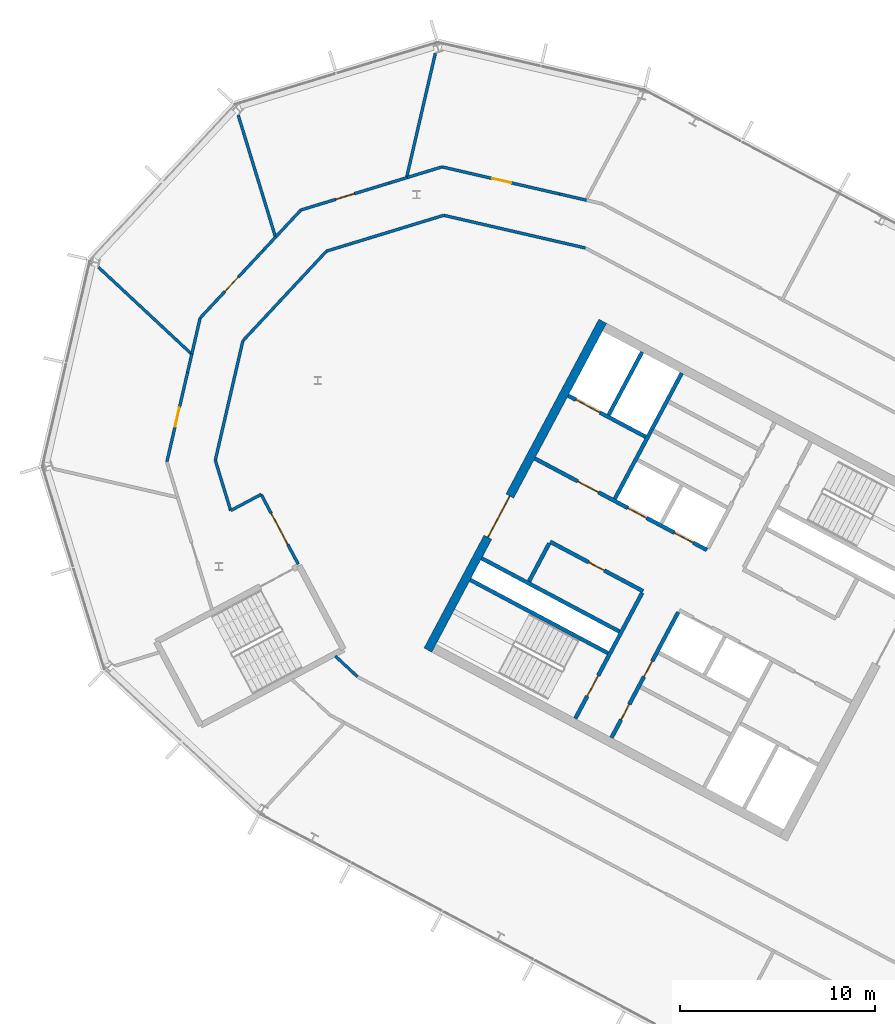
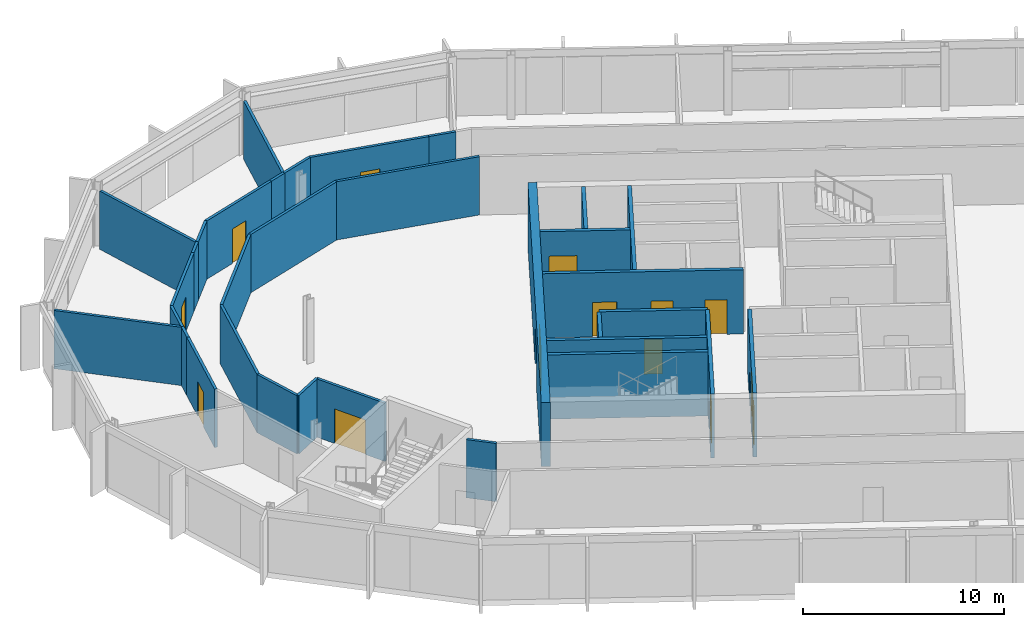
# One storey, part 13 of 25: 33 walls, 14 doors, 14 openings.
"""IFC4 building model written with IfcOpenShell, lengths in metres."""

from ifc_helpers import new_model, si_unit, direction, frame, frame_2d, origin, place, context, subcontext, project, spatial, rectangle, extrude, material, layer, layer_set, type_object, element, fill, save


model = new_model("IFC4")

# Units and contexts
model_context = context("Model", 3, precision=1e-05, world=origin(), true_north=direction((0.0, 1.0)))
body_context = subcontext(model_context, "Body", "Model", "MODEL_VIEW")
ifc_project = project(units=[si_unit("LENGTHUNIT", "METRE"), si_unit("AREAUNIT", "SQUARE_METRE"), si_unit("VOLUMEUNIT", "CUBIC_METRE"), si_unit("PLANEANGLEUNIT", "RADIAN"), si_unit("MASSUNIT", "GRAM", prefix="KILO")], contexts=[model_context])

# Site, building, storey
site_placement = place(None, origin())
site = spatial("IfcSite", under=ifc_project, at=site_placement, CompositionType="ELEMENT")
building_placement = place(site_placement, origin())
building = spatial("IfcBuilding", under=site, at=building_placement, Name="Cormorant Relay Tower", CompositionType="ELEMENT")
storey_placement = place(building_placement, frame((0.0, 0.0, 289.199951171875)))
storey = spatial("IfcBuildingStorey", under=building, at=storey_placement, Name="L65", CompositionType="ELEMENT", Elevation=289.199951171875)

# Wall, openings, doors
ifc_material_1 = material(Name="Concrete 50 MPa", Category="concrete")
ifc_layer_1 = layer(ifc_material_1, 0.199951171875)
ifc_layer_set_1 = layer_set([ifc_layer_1], Name="Core shaft wall 200")
wall_type_1 = type_object("IfcWallType", Name="Core shaft wall 200", PredefinedType="SHEAR", material=ifc_layer_set_1)
wall_1_placement = place(storey_placement, frame((-28.128173828125, 12.91748046875, 0.0), z_axis=(0.0, 0.0, 1.0), x_axis=(-0.469454336211, -0.882956752176, 0.0)))
wall_1 = element("IfcWall", 1, at=wall_1_placement, inside=storey, type_object=wall_type_1, Name="L65 core A shaft wall", PredefinedType="SHEAR", context=body_context, shape_type="SweptSolid", body=[
    extrude(rectangle(XDim=7.300048828125, YDim=0.199951171875, at=frame_2d((3.64990234375, 0.0))), origin(), (0.0, 0.0, 1.0), 3.900146484375),
])
opening_1_placement = place(wall_1_placement, frame((2.85009765625, 0.0, 0.0)))
opening_1 = element("IfcOpeningElement", 2, at=opening_1_placement, cuts=wall_1, Name="Opening CDD-289", PredefinedType="OPENING", context=body_context, shape_type="SweptSolid", body=[
    extrude(rectangle(XDim=0.89990234375, YDim=2.10009765625, at=frame_2d((0.449951171875, 1.050048828125))), frame((0.0, 0.10986328125, 0.0), z_axis=(0.0, -1.0, 0.0), x_axis=(1.0, 0.0, 0.0)), (0.0, 0.0, 1.0), 0.219970703125),
])
opening_2_placement = place(wall_1_placement, frame((5.35009765625, 0.0, 0.0)))
opening_2 = element("IfcOpeningElement", 3, at=opening_2_placement, cuts=wall_1, Name="Opening CDD-328", PredefinedType="OPENING", context=body_context, shape_type="SweptSolid", body=[
    extrude(rectangle(XDim=0.89990234375, YDim=2.10009765625, at=frame_2d((0.449951171875, 1.050048828125))), frame((0.0, 0.10986328125, 0.0), z_axis=(0.0, -1.0, 0.0), x_axis=(1.0, 0.0, 0.0)), (0.0, 0.0, 1.0), 0.219970703125),
])
ifc_material_2 = material(Name="Steel fire door", Category="steel")
door_type_1 = type_object("IfcDoorType", Name="Core room door 900x2100", OperationType="SINGLE_SWING_LEFT", PredefinedType="DOOR", material=ifc_material_2)
door_1_placement = place(opening_1_placement, origin())
door_1 = element("IfcDoor", 4, at=door_1_placement, inside=storey, type_object=door_type_1, Name="Core room door 900x2100", OperationType="SINGLE_SWING_LEFT", OverallHeight=2.10009765625, OverallWidth=0.89990234375, PredefinedType="DOOR", context=body_context, shape_type="SweptSolid", body=[
    extrude(rectangle(XDim=0.89990234375, YDim=2.10009765625, at=frame_2d((0.449951171875, 1.050048828125))), frame((0.0, 0.02490234375, 0.0), z_axis=(0.0, -1.0, 0.0), x_axis=(1.0, 0.0, 0.0)), (0.0, 0.0, 1.0), 0.050048828125),
])
fill(opening_1, door_1)
door_2_placement = place(opening_2_placement, origin())
door_2 = element("IfcDoor", 5, at=door_2_placement, inside=storey, type_object=door_type_1, Name="Core room door 900x2100", OperationType="SINGLE_SWING_LEFT", OverallHeight=2.10009765625, OverallWidth=0.89990234375, PredefinedType="DOOR", context=body_context, shape_type="SweptSolid", body=[
    extrude(rectangle(XDim=0.89990234375, YDim=2.10009765625, at=frame_2d((0.449951171875, 1.050048828125))), frame((0.0, 0.02490234375, 0.0), z_axis=(0.0, -1.0, 0.0), x_axis=(1.0, 0.0, 0.0)), (0.0, 0.0, 1.0), 0.050048828125),
])
fill(opening_2, door_2)

# Wall, opening, door
wall_2_placement = place(storey_placement, frame((-29.982421875, 13.9033203125, 0.0), z_axis=(0.0, 0.0, 1.0), x_axis=(-0.469454336211, -0.882956752176, 0.0)))
wall_2 = element("IfcWall", 6, at=wall_2_placement, inside=storey, type_object=wall_type_1, Name="L65 core A shaft wall", PredefinedType="SHEAR", context=body_context, shape_type="SweptSolid", body=[
    extrude(rectangle(XDim=7.300048828125, YDim=0.199951171875, at=frame_2d((3.64990234375, 0.0))), origin(), (0.0, 0.0, 1.0), 3.900146484375),
])
opening_3_placement = place(wall_2_placement, frame((4.800048828125, 0.0, 0.0)))
opening_3 = element("IfcOpeningElement", 7, at=opening_3_placement, cuts=wall_2, Name="Opening CDB-039", PredefinedType="OPENING", context=body_context, shape_type="SweptSolid", body=[
    extrude(rectangle(XDim=1.199951171875, YDim=2.10009765625, at=frame_2d((0.60009765625, 1.050048828125))), frame((0.0, 0.10986328125, 0.0), z_axis=(0.0, -1.0, 0.0), x_axis=(1.0, 0.0, 0.0)), (0.0, 0.0, 1.0), 0.219970703125),
])
ifc_material_3 = material(Name="Steel fire door", Category="steel")
door_type_2 = type_object("IfcDoorType", Name="Core stair door 1200x2100", OperationType="SINGLE_SWING_LEFT", PredefinedType="DOOR", material=ifc_material_3)
door_3_placement = place(opening_3_placement, frame((1.199951171875, 0.0, 0.0), z_axis=(0.0, 0.0, 1.0), x_axis=(-1.0, 0.0, 0.0)))
door_3 = element("IfcDoor", 8, at=door_3_placement, inside=storey, type_object=door_type_2, Name="Core stair door 1200x2100", OperationType="SINGLE_SWING_RIGHT", OverallHeight=2.10009765625, OverallWidth=1.199951171875, PredefinedType="DOOR", context=body_context, shape_type="SweptSolid", body=[
    extrude(rectangle(XDim=1.199951171875, YDim=2.10009765625, at=frame_2d((0.60009765625, 1.050048828125))), frame((0.0, 0.02490234375, 0.0), z_axis=(0.0, -1.0, 0.0), x_axis=(1.0, 0.0, 0.0)), (0.0, 0.0, 1.0), 0.050048828125),
])
fill(opening_3, door_3)

# Walls
wall_3_placement = place(storey_placement, frame((-27.955322265625, 25.170654296875, 0.0), z_axis=(0.0, 0.0, 1.0), x_axis=(-0.469480409012, -0.88294288918, 0.0)))
element("IfcWall", 9, at=wall_3_placement, inside=storey, type_object=wall_type_1, Name="L65 core A shaft wall", PredefinedType="SHEAR", context=body_context, shape_type="SweptSolid", body=[
    extrude(rectangle(XDim=7.300048828125, YDim=0.199951171875, at=frame_2d((3.64990234375, 0.0))), origin(), (0.0, 0.0, 1.0), 3.900146484375),
])
wall_4_placement = place(storey_placement, frame((-34.750244140625, 16.4384765625, 0.0), z_axis=(0.0, 0.0, 1.0), x_axis=(-0.469401318492, -0.882984938828, 0.0)))
element("IfcWall", 10, at=wall_4_placement, inside=storey, type_object=wall_type_1, Name="L65 core A shaft wall", PredefinedType="SHEAR", context=body_context, shape_type="SweptSolid", body=[
    extrude(rectangle(XDim=2.199951171875, YDim=0.199951171875, at=frame_2d((1.10009765625, 0.0))), origin(), (0.0, 0.0, 1.0), 3.900146484375),
])
wall_5_placement = place(storey_placement, frame((-29.986083984375, 26.250244140625, 0.0), z_axis=(0.0, 0.0, 1.0), x_axis=(-0.469494272526, -0.882935517501, 0.0)))
element("IfcWall", 11, at=wall_5_placement, inside=storey, type_object=wall_type_1, Name="L65 core A shaft wall", PredefinedType="SHEAR", context=body_context, shape_type="SweptSolid", body=[
    extrude(rectangle(XDim=3.64990234375, YDim=0.199951171875, at=frame_2d((1.824951171875, 0.0))), origin(), (0.0, 0.0, 1.0), 3.900146484375),
])

# Wall, opening, door
wall_6_placement = place(storey_placement, frame((-29.80419921875, 21.906494140625, 0.0), z_axis=(0.0, 0.0, 1.0), x_axis=(-0.882960433586, 0.469447412093, 0.0)))
wall_6 = element("IfcWall", 12, at=wall_6_placement, inside=storey, type_object=wall_type_1, Name="L65 core A shaft wall", PredefinedType="SHEAR", context=body_context, shape_type="SweptSolid", body=[
    extrude(rectangle(XDim=4.5, YDim=0.199951171875, at=frame_2d((2.25, 0.0))), origin(), (0.0, 0.0, 1.0), 3.900146484375),
])
opening_4_placement = place(wall_6_placement, frame((2.64990234375, 0.0, 0.0)))
opening_4 = element("IfcOpeningElement", 13, at=opening_4_placement, cuts=wall_6, Name="Opening LD3-015", PredefinedType="OPENING", context=body_context, shape_type="SweptSolid", body=[
    extrude(rectangle(XDim=1.39990234375, YDim=2.39990234375, at=frame_2d((0.699951171875, 1.199951171875))), frame((0.0, 0.10986328125, 0.0), z_axis=(0.0, -1.0, 0.0), x_axis=(1.0, 0.0, 0.0)), (0.0, 0.0, 1.0), 0.219970703125),
])
ifc_material_4 = material(Name="Stainless steel 316", Category="steel")
door_type_3 = type_object("IfcDoorType", Name="Lift landing door 1400x2400", OperationType="DOUBLE_DOOR_SLIDING", PredefinedType="DOOR", material=ifc_material_4)
door_4_placement = place(opening_4_placement, origin())
door_4 = element("IfcDoor", 14, at=door_4_placement, inside=storey, type_object=door_type_3, Name="SV1 landing door", OperationType="DOUBLE_DOOR_SLIDING", OverallHeight=2.39990234375, OverallWidth=1.39990234375, PredefinedType="DOOR", context=body_context, shape_type="SweptSolid", body=[
    extrude(rectangle(XDim=1.39990234375, YDim=2.39990234375, at=frame_2d((0.699951171875, 1.199951171875))), frame((0.0, 0.02490234375, 0.0), z_axis=(0.0, -1.0, 0.0), x_axis=(1.0, 0.0, 0.0)), (0.0, 0.0, 1.0), 0.050048828125),
])
fill(opening_4, door_4)

# Wall, openings, doors
wall_7_placement = place(storey_placement, frame((-26.66162109375, 16.1015625, 0.0), z_axis=(0.0, 0.0, 1.0), x_axis=(-0.882940221191, 0.469485426614, 0.0)))
wall_7 = element("IfcWall", 15, at=wall_7_placement, inside=storey, type_object=wall_type_1, Name="L65 core A shaft wall", PredefinedType="SHEAR", context=body_context, shape_type="SweptSolid", body=[
    extrude(rectangle(XDim=10.0, YDim=0.199951171875, at=frame_2d((5.0, 0.0))), origin(), (0.0, 0.0, 1.0), 3.900146484375),
])
opening_5_placement = place(wall_7_placement, frame((6.300048828125, 0.0, 0.0)))
opening_5 = element("IfcOpeningElement", 16, at=opening_5_placement, cuts=wall_7, Name="Opening CDC-034", PredefinedType="OPENING", context=body_context, shape_type="SweptSolid", body=[
    extrude(rectangle(XDim=1.199951171875, YDim=2.10009765625, at=frame_2d((0.60009765625, 1.050048828125))), frame((0.0, 0.10986328125, 0.0), z_axis=(0.0, -1.0, 0.0), x_axis=(1.0, 0.0, 0.0)), (0.0, 0.0, 1.0), 0.219970703125),
])
opening_6_placement = place(wall_7_placement, frame((0.800048828125, 0.0, 0.0)))
opening_6 = element("IfcOpeningElement", 17, at=opening_6_placement, cuts=wall_7, Name="Opening LD1-067", PredefinedType="OPENING", context=body_context, shape_type="SweptSolid", body=[
    extrude(rectangle(XDim=1.10009765625, YDim=2.10009765625, at=frame_2d((0.550048828125, 1.050048828125))), frame((0.0, 0.10986328125, 0.0), z_axis=(0.0, -1.0, 0.0), x_axis=(1.0, 0.0, 0.0)), (0.0, 0.0, 1.0), 0.219970703125),
])
opening_7_placement = place(wall_7_placement, frame((3.5, 0.0, 0.0)))
opening_7 = element("IfcOpeningElement", 18, at=opening_7_placement, cuts=wall_7, Name="Opening LD1-068", PredefinedType="OPENING", context=body_context, shape_type="SweptSolid", body=[
    extrude(rectangle(XDim=1.10009765625, YDim=2.10009765625, at=frame_2d((0.550048828125, 1.050048828125))), frame((0.0, 0.10986328125, 0.0), z_axis=(0.0, -1.0, 0.0), x_axis=(1.0, 0.0, 0.0)), (0.0, 0.0, 1.0), 0.219970703125),
])
ifc_material_5 = material(Name="Steel fire door", Category="steel")
door_type_4 = type_object("IfcDoorType", Name="Core lobby door 1200x2100", OperationType="SINGLE_SWING_LEFT", PredefinedType="DOOR", material=ifc_material_5)
door_5_placement = place(opening_5_placement, origin())
door_5 = element("IfcDoor", 19, at=door_5_placement, inside=storey, type_object=door_type_4, Name="Core lobby door 1200x2100", OperationType="SINGLE_SWING_LEFT", OverallHeight=2.10009765625, OverallWidth=1.199951171875, PredefinedType="DOOR", context=body_context, shape_type="SweptSolid", body=[
    extrude(rectangle(XDim=1.199951171875, YDim=2.10009765625, at=frame_2d((0.60009765625, 1.050048828125))), frame((0.0, 0.02490234375, 0.0), z_axis=(0.0, -1.0, 0.0), x_axis=(1.0, 0.0, 0.0)), (0.0, 0.0, 1.0), 0.050048828125),
])
fill(opening_5, door_5)
ifc_material_6 = material(Name="Stainless steel 316", Category="steel")
door_type_5 = type_object("IfcDoorType", Name="Lift landing door 1100x2100", OperationType="DOUBLE_DOOR_SLIDING", PredefinedType="DOOR", material=ifc_material_6)
door_6_placement = place(opening_6_placement, origin())
door_6 = element("IfcDoor", 20, at=door_6_placement, inside=storey, type_object=door_type_5, Name="HR3 landing door", OperationType="DOUBLE_DOOR_SLIDING", OverallHeight=2.10009765625, OverallWidth=1.10009765625, PredefinedType="DOOR", context=body_context, shape_type="SweptSolid", body=[
    extrude(rectangle(XDim=1.10009765625, YDim=2.10009765625, at=frame_2d((0.550048828125, 1.050048828125))), frame((0.0, 0.02490234375, 0.0), z_axis=(0.0, -1.0, 0.0), x_axis=(1.0, 0.0, 0.0)), (0.0, 0.0, 1.0), 0.050048828125),
])
fill(opening_6, door_6)
door_7_placement = place(opening_7_placement, origin())
door_7 = element("IfcDoor", 21, at=door_7_placement, inside=storey, type_object=door_type_5, Name="HR4 landing door", OperationType="DOUBLE_DOOR_SLIDING", OverallHeight=2.10009765625, OverallWidth=1.10009765625, PredefinedType="DOOR", context=body_context, shape_type="SweptSolid", body=[
    extrude(rectangle(XDim=1.10009765625, YDim=2.10009765625, at=frame_2d((0.550048828125, 1.050048828125))), frame((0.0, 0.02490234375, 0.0), z_axis=(0.0, -1.0, 0.0), x_axis=(1.0, 0.0, 0.0)), (0.0, 0.0, 1.0), 0.050048828125),
])
fill(opening_7, door_7)

# Wall, opening, door
wall_8_placement = place(storey_placement, frame((-29.935302734375, 13.991455078125, 0.0), z_axis=(0.0, 0.0, 1.0), x_axis=(-0.882952937579, 0.469461510692, 0.0)))
wall_8 = element("IfcWall", 22, at=wall_8_placement, inside=storey, type_object=wall_type_1, Name="L65 core A shaft wall", PredefinedType="SHEAR", context=body_context, shape_type="SweptSolid", body=[
    extrude(rectangle(XDim=5.400146484375, YDim=0.199951171875, at=frame_2d((2.7001953125, 0.0))), origin(), (0.0, 0.0, 1.0), 3.900146484375),
])
opening_8_placement = place(wall_8_placement, frame((2.25, 0.0, 0.0)))
opening_8 = element("IfcOpeningElement", 23, at=opening_8_placement, cuts=wall_8, Name="Opening CDD-318", PredefinedType="OPENING", context=body_context, shape_type="SweptSolid", body=[
    extrude(rectangle(XDim=0.89990234375, YDim=2.10009765625, at=frame_2d((0.449951171875, 1.050048828125))), frame((0.0, 0.10986328125, 0.0), z_axis=(0.0, -1.0, 0.0), x_axis=(1.0, 0.0, 0.0)), (0.0, 0.0, 1.0), 0.219970703125),
])
door_8_placement = place(opening_8_placement, origin())
door_8 = element("IfcDoor", 24, at=door_8_placement, inside=storey, type_object=door_type_1, Name="Core room door 900x2100", OperationType="SINGLE_SWING_LEFT", OverallHeight=2.10009765625, OverallWidth=0.89990234375, PredefinedType="DOOR", context=body_context, shape_type="SweptSolid", body=[
    extrude(rectangle(XDim=0.89990234375, YDim=2.10009765625, at=frame_2d((0.449951171875, 1.050048828125))), frame((0.0, 0.02490234375, 0.0), z_axis=(0.0, -1.0, 0.0), x_axis=(1.0, 0.0, 0.0)), (0.0, 0.0, 1.0), 0.050048828125),
])
fill(opening_8, door_8)

# Walls
for number, where, z_axis, x_axis, name in (
    (25, (-31.150390625, 11.91943359375, 0.0), (0.0, 0.0, 1.0), (-0.882940221191, 0.469485426614, 0.0), "L65 core A shaft wall"),
    (26, (-31.7373046875, 10.815673828125, 0.0), (0.0, 0.0, 1.0), (-0.882940221191, 0.469485426614, 0.0), "L65 core A shaft wall"),
):
    element("IfcWall", number, at=place(storey_placement, frame(where, z_axis=z_axis, x_axis=x_axis)), inside=storey, type_object=wall_type_1, Name=name, PredefinedType="SHEAR", context=body_context, shape_type="SweptSolid", body=[
        extrude(rectangle(XDim=8.0, YDim=0.199951171875, at=frame_2d((4.0, 0.0))), origin(), (0.0, 0.0, 1.0), 3.900146484375),
    ])

# Wall, opening, door
ifc_material_7 = material(Name="Concrete 50 MPa", Category="concrete")
ifc_layer_2 = layer(ifc_material_7, 0.449951171875)
ifc_layer_set_2 = layer_set([ifc_layer_2], Name="Core wall 450")
wall_type_2 = type_object("IfcWallType", Name="Core wall 450", PredefinedType="SHEAR", material=ifc_layer_set_2)
wall_9_placement = place(storey_placement, frame((-32.00439453125, 27.8330078125, 0.0), z_axis=(0.0, 0.0, 1.0), x_axis=(-0.469467968382, -0.882949504028, 0.0)))
wall_9 = element("IfcWall", 27, at=wall_9_placement, inside=storey, type_object=wall_type_2, Name="L65 core A wall", PredefinedType="SHEAR", context=body_context, shape_type="SweptSolid", body=[
    extrude(rectangle(XDim=19.099853515625, YDim=0.449951171875, at=frame_2d((9.5498046875, 0.0))), origin(), (0.0, 0.0, 1.0), 3.900146484375),
])
opening_9_placement = place(wall_9_placement, frame((10.14990234375, 0.0, 0.0)))
opening_9 = element("IfcOpeningElement", 28, at=opening_9_placement, cuts=wall_9, Name="Opening CDA-051", PredefinedType="OPENING", context=body_context, shape_type="SweptSolid", body=[
    extrude(rectangle(XDim=2.39990234375, YDim=2.39990234375, at=frame_2d((1.199951171875, 1.199951171875))), frame((0.0, 0.23486328125, 0.0), z_axis=(0.0, -1.0, 0.0), x_axis=(1.0, 0.0, 0.0)), (0.0, 0.0, 1.0), 0.469970703125),
])
ifc_material_8 = material(Name="Steel fire door", Category="steel")
door_type_6 = type_object("IfcDoorType", Name="Core lobby door 2400x2400", OperationType="DOUBLE_DOOR_SINGLE_SWING", PredefinedType="DOOR", material=ifc_material_8)
door_9_placement = place(opening_9_placement, origin())
door_9 = element("IfcDoor", 29, at=door_9_placement, inside=storey, type_object=door_type_6, Name="Core lobby door 2400x2400", OperationType="DOUBLE_DOOR_SINGLE_SWING", OverallHeight=2.39990234375, OverallWidth=2.39990234375, PredefinedType="DOOR", context=body_context, shape_type="SweptSolid", body=[
    extrude(rectangle(XDim=2.39990234375, YDim=2.39990234375, at=frame_2d((1.199951171875, 1.199951171875))), frame((0.0, 0.02490234375, 0.0), z_axis=(0.0, -1.0, 0.0), x_axis=(1.0, 0.0, 0.0)), (0.0, 0.0, 1.0), 0.050048828125),
])
fill(opening_9, door_9)

ifc_material_9 = material(Name="Gypsum board fire partition")
ifc_layer_3 = layer(ifc_material_9, 0.14990234375)
ifc_layer_set_3 = layer_set([ifc_layer_3], Name="Corridor partition 150 EI 60")
wall_type_3 = type_object("IfcWallType", Name="Corridor partition 150 EI 60", PredefinedType="PARTITIONING", material=ifc_layer_set_3)
wall_10_placement = place(storey_placement, frame((-53.294921875, 25.215087890625, 0.0), z_axis=(0.0, 0.0, 1.0), x_axis=(-0.224995495587, -0.974359803648, 0.0)))
wall_10 = element("IfcWall", 30, at=wall_10_placement, inside=storey, type_object=wall_type_3, Name="wall/L65/part/004", PredefinedType="PARTITIONING", context=body_context, shape_type="SweptSolid", body=[
    extrude(rectangle(XDim=4.72021484375, YDim=0.14990234375, at=frame_2d((2.360107421875, 0.0))), origin(), (0.0, 0.0, 1.0), 3.5400390625),
])
opening_10_placement = place(wall_10_placement, frame((1.85009765625, 0.0, 0.0)))
opening_10 = element("IfcOpeningElement", 31, at=opening_10_placement, cuts=wall_10, Name="Opening DS-226", PredefinedType="OPENING", context=body_context, shape_type="SweptSolid", body=[
    extrude(rectangle(XDim=1.0, YDim=2.10009765625, at=frame_2d((0.5, 1.050048828125))), frame((0.0, 0.0849609375, 0.0), z_axis=(0.0, -1.0, 0.0), x_axis=(1.0, 0.0, 0.0)), (0.0, 0.0, 1.0), 0.169921875),
])
ifc_material_10 = material(Name="Timber door leaf", Category="wood")
door_type_7 = type_object("IfcDoorType", Name="Suite door 1000x2100", OperationType="SINGLE_SWING_LEFT", PredefinedType="DOOR", material=ifc_material_10)
door_10_placement = place(opening_10_placement, frame((1.0, 0.0, 0.0), z_axis=(0.0, 0.0, 1.0), x_axis=(-1.0, 0.0, 0.0)))
door_10 = element("IfcDoor", 32, at=door_10_placement, inside=storey, type_object=door_type_7, Name="door/L65/011", OperationType="SINGLE_SWING_RIGHT", OverallHeight=2.10009765625, OverallWidth=1.0, PredefinedType="DOOR", context=body_context, shape_type="SweptSolid", body=[
    extrude(rectangle(XDim=1.0, YDim=2.10009765625, at=frame_2d((0.5, 1.050048828125))), frame((0.0, 0.02490234375, 0.0), z_axis=(0.0, -1.0, 0.0), x_axis=(1.0, 0.0, 0.0)), (0.0, 0.0, 1.0), 0.050048828125),
])
fill(opening_10, door_10)

# Wall
wall_11_placement = place(storey_placement, frame((-53.294921875, 25.215087890625, 0.0), z_axis=(0.0, 0.0, 1.0), x_axis=(0.225370986266, 0.974273020539, 0.0)))
element("IfcWall", 33, at=wall_11_placement, inside=storey, type_object=wall_type_3, Name="wall/L65/part/007", PredefinedType="PARTITIONING", context=body_context, shape_type="SweptSolid", body=[
    extrude(rectangle(XDim=0.97607421875, YDim=0.14990234375, at=frame_2d((0.488037109375, 0.0))), origin(), (0.0, 0.0, 1.0), 3.5400390625),
])

# Wall, opening, door
wall_12_placement = place(storey_placement, frame((-49.43310546875, 31.448974609375, 0.0), z_axis=(0.0, 0.0, 1.0), x_axis=(-0.682010505986, -0.731342375173, 0.0)))
wall_12 = element("IfcWall", 34, at=wall_12_placement, inside=storey, type_object=wall_type_3, Name="wall/L65/part/008", PredefinedType="PARTITIONING", context=body_context, shape_type="SweptSolid", body=[
    extrude(rectangle(XDim=4.72119140625, YDim=0.14990234375, at=frame_2d((2.360595703125, 0.0))), origin(), (0.0, 0.0, 1.0), 3.5400390625),
])
opening_11_placement = place(wall_12_placement, frame((1.85009765625, 0.0, 0.0)))
opening_11 = element("IfcOpeningElement", 35, at=opening_11_placement, cuts=wall_12, Name="Opening DS-225", PredefinedType="OPENING", context=body_context, shape_type="SweptSolid", body=[
    extrude(rectangle(XDim=1.0, YDim=2.10009765625, at=frame_2d((0.5, 1.050048828125))), frame((0.0, 0.0849609375, 0.0), z_axis=(0.0, -1.0, 0.0), x_axis=(1.0, 0.0, 0.0)), (0.0, 0.0, 1.0), 0.169921875),
])
door_11_placement = place(opening_11_placement, frame((1.0, 0.0, 0.0), z_axis=(0.0, 0.0, 1.0), x_axis=(-1.0, 0.0, 0.0)))
door_11 = element("IfcDoor", 36, at=door_11_placement, inside=storey, type_object=door_type_7, Name="door/L65/010", OperationType="SINGLE_SWING_RIGHT", OverallHeight=2.10009765625, OverallWidth=1.0, PredefinedType="DOOR", context=body_context, shape_type="SweptSolid", body=[
    extrude(rectangle(XDim=1.0, YDim=2.10009765625, at=frame_2d((0.5, 1.050048828125))), frame((0.0, 0.02490234375, 0.0), z_axis=(0.0, -1.0, 0.0), x_axis=(1.0, 0.0, 0.0)), (0.0, 0.0, 1.0), 0.050048828125),
])
fill(opening_11, door_11)

# Walls
wall_13_placement = place(storey_placement, frame((-52.653076171875, 27.99609375, 0.0), z_axis=(0.0, 0.0, 1.0), x_axis=(-0.224631643858, -0.974443751367, 0.0)))
element("IfcWall", 37, at=wall_13_placement, inside=storey, type_object=wall_type_3, Name="wall/L65/part/009", PredefinedType="PARTITIONING", context=body_context, shape_type="SweptSolid", body=[
    extrude(rectangle(XDim=1.878173828125, YDim=0.14990234375, at=frame_2d((0.93896484375, 0.0))), origin(), (0.0, 0.0, 1.0), 3.5400390625),
])
wall_14_placement = place(storey_placement, frame((-49.43310546875, 31.448974609375, 0.0), z_axis=(0.0, 0.0, 1.0), x_axis=(0.682014889945, 0.731338286905, 0.0)))
element("IfcWall", 38, at=wall_14_placement, inside=storey, type_object=wall_type_3, Name="wall/L65/part/011", PredefinedType="PARTITIONING", context=body_context, shape_type="SweptSolid", body=[
    extrude(rectangle(XDim=0.97509765625, YDim=0.14990234375, at=frame_2d((0.487548828125, 0.0))), origin(), (0.0, 0.0, 1.0), 3.5400390625),
])

# Wall, opening, door
wall_15_placement = place(storey_placement, frame((-42.971923828125, 34.916015625, 0.0), z_axis=(0.0, 0.0, 1.0), x_axis=(-0.956321861231, -0.292315750056, 0.0)))
wall_15 = element("IfcWall", 39, at=wall_15_placement, inside=storey, type_object=wall_type_3, Name="wall/L65/part/014", PredefinedType="PARTITIONING", context=body_context, shape_type="SweptSolid", body=[
    extrude(rectangle(XDim=4.721435546875, YDim=0.14990234375, at=frame_2d((2.36083984375, 0.0))), origin(), (0.0, 0.0, 1.0), 3.5400390625),
])
opening_12_placement = place(wall_15_placement, frame((1.85009765625, 0.0, 0.0)))
opening_12 = element("IfcOpeningElement", 40, at=opening_12_placement, cuts=wall_15, Name="Opening DS-224", PredefinedType="OPENING", context=body_context, shape_type="SweptSolid", body=[
    extrude(rectangle(XDim=1.0, YDim=2.10009765625, at=frame_2d((0.5, 1.050048828125))), frame((0.0, 0.0849609375, 0.0), z_axis=(0.0, -1.0, 0.0), x_axis=(1.0, 0.0, 0.0)), (0.0, 0.0, 1.0), 0.169921875),
])
door_12_placement = place(opening_12_placement, frame((1.0, 0.0, 0.0), z_axis=(0.0, 0.0, 1.0), x_axis=(-1.0, 0.0, 0.0)))
door_12 = element("IfcDoor", 41, at=door_12_placement, inside=storey, type_object=door_type_7, Name="door/L65/009", OperationType="SINGLE_SWING_RIGHT", OverallHeight=2.10009765625, OverallWidth=1.0, PredefinedType="DOOR", context=body_context, shape_type="SweptSolid", body=[
    extrude(rectangle(XDim=1.0, YDim=2.10009765625, at=frame_2d((0.5, 1.050048828125))), frame((0.0, 0.02490234375, 0.0), z_axis=(0.0, -1.0, 0.0), x_axis=(1.0, 0.0, 0.0)), (0.0, 0.0, 1.0), 0.050048828125),
])
fill(opening_12, door_12)

# Wall
wall_16_placement = place(storey_placement, frame((-47.487060546875, 33.535888671875, 0.0), z_axis=(0.0, 0.0, 1.0), x_axis=(-0.681980118274, -0.731370711936, 0.0)))
element("IfcWall", 42, at=wall_16_placement, inside=storey, type_object=wall_type_3, Name="wall/L65/part/015", PredefinedType="PARTITIONING", context=body_context, shape_type="SweptSolid", body=[
    extrude(rectangle(XDim=1.87841796875, YDim=0.14990234375, at=frame_2d((0.939208984375, 0.0))), origin(), (0.0, 0.0, 1.0), 3.5400390625),
])

# Wall, opening, door
wall_17_placement = place(storey_placement, frame((-47.62109375, 15.3779296875, 0.0), z_axis=(0.0, 0.0, 1.0), x_axis=(-0.469542997944, 0.882909606404, 0.0)))
wall_17 = element("IfcWall", 43, at=wall_17_placement, inside=storey, type_object=wall_type_3, Name="wall/L65/part/016", PredefinedType="PARTITIONING", context=body_context, shape_type="SweptSolid", body=[
    extrude(rectangle(XDim=4.050537109375, YDim=0.14990234375, at=frame_2d((2.025390625, 0.0))), origin(), (0.0, 0.0, 1.0), 3.5400390625),
])
opening_13_placement = place(wall_17_placement, frame((1.14990234375, 0.0, 0.0)))
opening_13 = element("IfcOpeningElement", 44, at=opening_13_placement, cuts=wall_17, Name="Opening DD-035", PredefinedType="OPENING", context=body_context, shape_type="SweptSolid", body=[
    extrude(rectangle(XDim=1.800048828125, YDim=2.10009765625, at=frame_2d((0.89990234375, 1.050048828125))), frame((0.0, 0.0849609375, 0.0), z_axis=(0.0, -1.0, 0.0), x_axis=(1.0, 0.0, 0.0)), (0.0, 0.0, 1.0), 0.169921875),
])
ifc_material_11 = material(Name="Timber door leaf", Category="wood")
door_type_8 = type_object("IfcDoorType", Name="Suite double door 1800x2100", OperationType="DOUBLE_DOOR_SINGLE_SWING", PredefinedType="DOOR", material=ifc_material_11)
door_13_placement = place(opening_13_placement, frame((1.800048828125, 0.0, 0.0), z_axis=(0.0, 0.0, 1.0), x_axis=(-1.0, 0.0, 0.0)))
door_13 = element("IfcDoor", 45, at=door_13_placement, inside=storey, type_object=door_type_8, Name="door/L65/001", OperationType="DOUBLE_DOOR_SINGLE_SWING", OverallHeight=2.10009765625, OverallWidth=1.800048828125, PredefinedType="DOOR", context=body_context, shape_type="SweptSolid", body=[
    extrude(rectangle(XDim=1.800048828125, YDim=2.10009765625, at=frame_2d((0.89990234375, 1.050048828125))), frame((0.0, 0.02490234375, 0.0), z_axis=(0.0, -1.0, 0.0), x_axis=(1.0, 0.0, 0.0)), (0.0, 0.0, 1.0), 0.050048828125),
])
fill(opening_13, door_13)

# Walls
wall_18_placement = place(storey_placement, frame((-49.52294921875, 18.9541015625, 0.0), z_axis=(0.0, 0.0, 1.0), x_axis=(-0.882826130341, -0.469699929303, 0.0)))
element("IfcWall", 46, at=wall_18_placement, inside=storey, type_object=wall_type_3, Name="wall/L65/part/017", PredefinedType="PARTITIONING", context=body_context, shape_type="SweptSolid", body=[
    extrude(rectangle(XDim=1.769287109375, YDim=0.14990234375, at=frame_2d((0.884765625, 0.0))), origin(), (0.0, 0.0, 1.0), 3.5400390625),
])
wall_19_placement = place(storey_placement, frame((-51.0849609375, 18.123046875, 0.0), z_axis=(0.0, 0.0, 1.0), x_axis=(-0.292584201044, 0.9562397635, 0.0)))
element("IfcWall", 47, at=wall_19_placement, inside=storey, type_object=wall_type_3, Name="wall/L65/part/018", PredefinedType="PARTITIONING", context=body_context, shape_type="SweptSolid", body=[
    extrude(rectangle(XDim=2.69677734375, YDim=0.14990234375, at=frame_2d((1.348388671875, 0.0))), origin(), (0.0, 0.0, 1.0), 3.5400390625),
])
wall_20_placement = place(storey_placement, frame((-51.8740234375, 20.701904296875, 0.0), z_axis=(0.0, 0.0, 1.0), x_axis=(0.224987079621, 0.974361746993, 0.0)))
element("IfcWall", 48, at=wall_20_placement, inside=storey, type_object=wall_type_3, Name="wall/L65/part/019", PredefinedType="PARTITIONING", context=body_context, shape_type="SweptSolid", body=[
    extrude(rectangle(XDim=6.289306640625, YDim=0.14990234375, at=frame_2d((3.14453125, 0.0))), origin(), (0.0, 0.0, 1.0), 3.5400390625),
])
wall_21_placement = place(storey_placement, frame((-50.458984375, 26.830078125, 0.0), z_axis=(0.0, 0.0, 1.0), x_axis=(0.68204431976, 0.731310840808, 0.0)))
element("IfcWall", 49, at=wall_21_placement, inside=storey, type_object=wall_type_3, Name="wall/L65/part/020", PredefinedType="PARTITIONING", context=body_context, shape_type="SweptSolid", body=[
    extrude(rectangle(XDim=6.28857421875, YDim=0.14990234375, at=frame_2d((3.144287109375, 0.0))), origin(), (0.0, 0.0, 1.0), 3.5400390625),
])
wall_22_placement = place(storey_placement, frame((-46.169921875, 31.428955078125, 0.0), z_axis=(0.0, 0.0, 1.0), x_axis=(0.956313885215, 0.292341842616, 0.0)))
element("IfcWall", 50, at=wall_22_placement, inside=storey, type_object=wall_type_3, Name="wall/L65/part/021", PredefinedType="PARTITIONING", context=body_context, shape_type="SweptSolid", body=[
    extrude(rectangle(XDim=6.28759765625, YDim=0.14990234375, at=frame_2d((3.143798828125, 0.0))), origin(), (0.0, 0.0, 1.0), 3.5400390625),
])
wall_23_placement = place(storey_placement, frame((-40.156982421875, 33.26708984375, 0.0), z_axis=(0.0, 0.0, 1.0), x_axis=(0.974363587665, -0.224979107993, 0.0)))
element("IfcWall", 51, at=wall_23_placement, inside=storey, type_object=wall_type_3, Name="wall/L65/part/022", PredefinedType="PARTITIONING", context=body_context, shape_type="SweptSolid", body=[
    extrude(rectangle(XDim=7.4541015625, YDim=0.14990234375, at=frame_2d((3.72705078125, 0.0))), origin(), (0.0, 0.0, 1.0), 3.5400390625),
])
wall_24_placement = place(storey_placement, frame((-44.583984375, 9.60498046875, 0.0), z_axis=(0.0, 0.0, 1.0), x_axis=(-0.731410317478, 0.681937641934, 0.0)))
element("IfcWall", 52, at=wall_24_placement, inside=storey, type_object=wall_type_3, Name="wall/L65/part/031", PredefinedType="PARTITIONING", context=body_context, shape_type="SweptSolid", body=[
    extrude(rectangle(XDim=1.554443359375, YDim=0.14990234375, at=frame_2d((0.77734375, 0.0))), origin(), (0.0, 0.0, 1.0), 3.5400390625),
])
wall_25_placement = place(storey_placement, frame((-42.971923828125, 34.916015625, 0.0), z_axis=(0.0, 0.0, 1.0), x_axis=(0.956388481043, 0.292097711954, 0.0)))
element("IfcWall", 53, at=wall_25_placement, inside=storey, type_object=wall_type_3, Name="wall/L65/part/036", PredefinedType="PARTITIONING", context=body_context, shape_type="SweptSolid", body=[
    extrude(rectangle(XDim=0.975341796875, YDim=0.14990234375, at=frame_2d((0.48779296875, 0.0))), origin(), (0.0, 0.0, 1.0), 3.5400390625),
])

# Wall, opening, door
wall_26_placement = place(storey_placement, frame((-34.2080078125, 34.35693359375, 0.0), z_axis=(0.0, 0.0, 1.0), x_axis=(-0.974377242452, 0.224919962192, 0.0)))
wall_26 = element("IfcWall", 54, at=wall_26_placement, inside=storey, type_object=wall_type_3, Name="wall/L65/part/038", PredefinedType="PARTITIONING", context=body_context, shape_type="SweptSolid", body=[
    extrude(rectangle(XDim=6.193603515625, YDim=0.14990234375, at=frame_2d((3.0966796875, 0.0))), origin(), (0.0, 0.0, 1.0), 3.5400390625),
])
opening_14_placement = place(wall_26_placement, frame((2.550048828125, 0.0, 0.0)))
opening_14 = element("IfcOpeningElement", 55, at=opening_14_placement, cuts=wall_26, Name="Opening DS-223", PredefinedType="OPENING", context=body_context, shape_type="SweptSolid", body=[
    extrude(rectangle(XDim=1.0, YDim=2.10009765625, at=frame_2d((0.5, 1.050048828125))), frame((0.0, 0.0849609375, 0.0), z_axis=(0.0, -1.0, 0.0), x_axis=(1.0, 0.0, 0.0)), (0.0, 0.0, 1.0), 0.169921875),
])
door_14_placement = place(opening_14_placement, frame((1.0, 0.0, 0.0), z_axis=(0.0, 0.0, 1.0), x_axis=(-1.0, 0.0, 0.0)))
door_14 = element("IfcDoor", 56, at=door_14_placement, inside=storey, type_object=door_type_7, Name="door/L65/008", OperationType="SINGLE_SWING_RIGHT", OverallHeight=2.10009765625, OverallWidth=1.0, PredefinedType="DOOR", context=body_context, shape_type="SweptSolid", body=[
    extrude(rectangle(XDim=1.0, YDim=2.10009765625, at=frame_2d((0.5, 1.050048828125))), frame((0.0, 0.02490234375, 0.0), z_axis=(0.0, -1.0, 0.0), x_axis=(1.0, 0.0, 0.0)), (0.0, 0.0, 1.0), 0.050048828125),
])
fill(opening_14, door_14)

# Walls
wall_27_placement = place(storey_placement, frame((-40.242919921875, 35.75, 0.0), z_axis=(0.0, 0.0, 1.0), x_axis=(-0.956314227535, -0.292340722812, 0.0)))
element("IfcWall", 57, at=wall_27_placement, inside=storey, type_object=wall_type_3, Name="wall/L65/part/039", PredefinedType="PARTITIONING", context=body_context, shape_type="SweptSolid", body=[
    extrude(rectangle(XDim=1.878173828125, YDim=0.14990234375, at=frame_2d((0.93896484375, 0.0))), origin(), (0.0, 0.0, 1.0), 3.5400390625),
])
wall_28_placement = place(storey_placement, frame((-34.2080078125, 34.35693359375, 0.0), z_axis=(0.0, 0.0, 1.0), x_axis=(0.974467175192, -0.224530007959, 0.0)))
element("IfcWall", 58, at=wall_28_placement, inside=storey, type_object=wall_type_3, Name="wall/L65/part/040", PredefinedType="PARTITIONING", context=body_context, shape_type="SweptSolid", body=[
    extrude(rectangle(XDim=1.406982421875, YDim=0.14990234375, at=frame_2d((0.70361328125, 0.0))), origin(), (0.0, 0.0, 1.0), 3.5400390625),
])
ifc_material_12 = material(Name="Gypsum board partition")
ifc_layer_4 = layer(ifc_material_12, 0.14990234375)
ifc_layer_set_4 = layer_set([ifc_layer_4], Name="Tenant partition 150")
wall_type_4 = type_object("IfcWallType", Name="Tenant partition 150", PredefinedType="PARTITIONING", material=ifc_layer_set_4)
wall_29_placement = place(storey_placement, frame((-57.8720703125, 30.60791015625, 0.0), z_axis=(0.0, 0.0, 1.0), x_axis=(0.731496401804, -0.681845300744, 0.0)))
element("IfcWall", 59, at=wall_29_placement, inside=storey, type_object=wall_type_4, Name="wall/L65/part/002", PredefinedType="PARTITIONING", context=body_context, shape_type="SweptSolid", body=[
    extrude(rectangle(XDim=6.549560546875, YDim=0.14990234375, at=frame_2d((3.27490234375, 0.0))), origin(), (0.0, 0.0, 1.0), 3.5400390625),
])
wall_30_placement = place(storey_placement, frame((-50.699951171875, 38.406005859375, 0.0), z_axis=(0.0, 0.0, 1.0), x_axis=(0.29245059414, -0.95628063349, 0.0)))
element("IfcWall", 60, at=wall_30_placement, inside=storey, type_object=wall_type_4, Name="wall/L65/part/010", PredefinedType="PARTITIONING", context=body_context, shape_type="SweptSolid", body=[
    extrude(rectangle(XDim=6.54833984375, YDim=0.14990234375, at=frame_2d((3.274169921875, 0.0))), origin(), (0.0, 0.0, 1.0), 3.5400390625),
])
wall_31_placement = place(storey_placement, frame((-40.590087890625, 41.574951171875, 0.0), z_axis=(0.0, 0.0, 1.0), x_axis=(-0.224916684579, -0.974377999032, 0.0)))
element("IfcWall", 61, at=wall_31_placement, inside=storey, type_object=wall_type_4, Name="wall/L65/part/037", PredefinedType="PARTITIONING", context=body_context, shape_type="SweptSolid", body=[
    extrude(rectangle(XDim=6.548583984375, YDim=0.14990234375, at=frame_2d((3.2744140625, 0.0))), origin(), (0.0, 0.0, 1.0), 3.5400390625),
])

save(model, "model.ifc")
